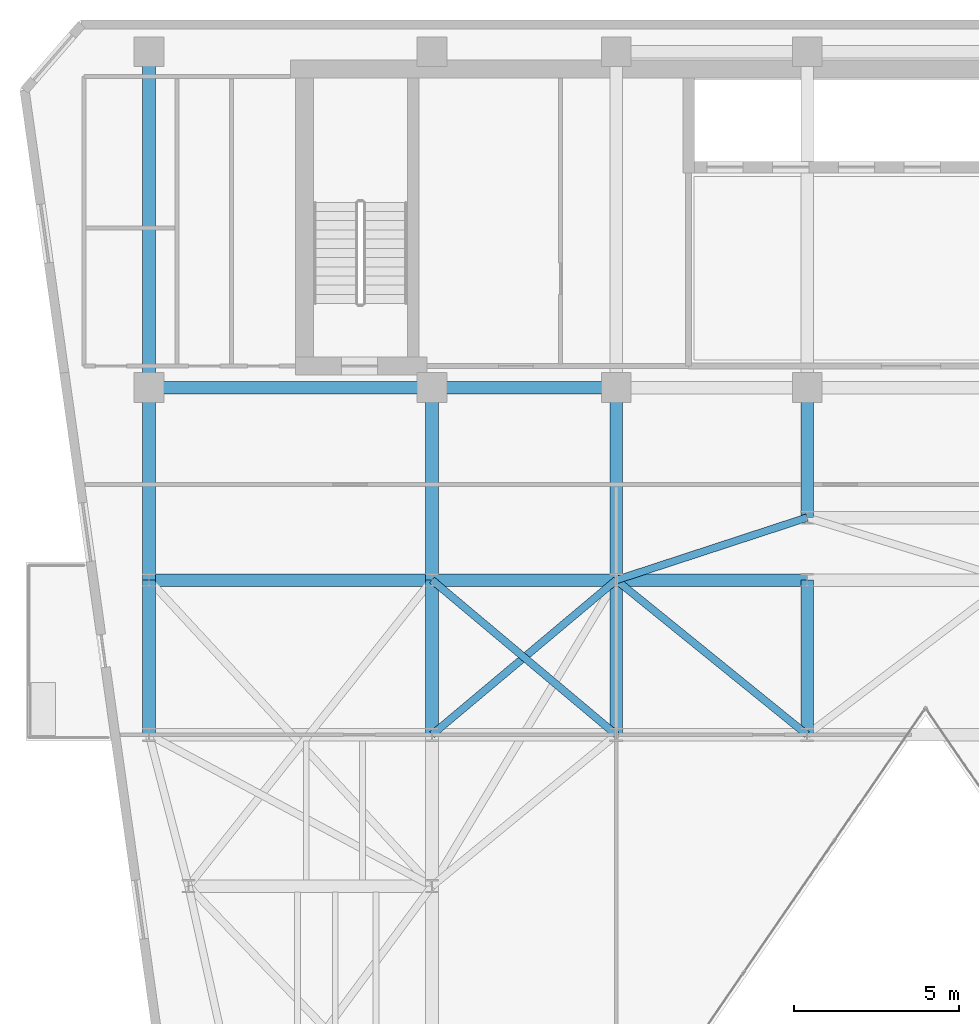
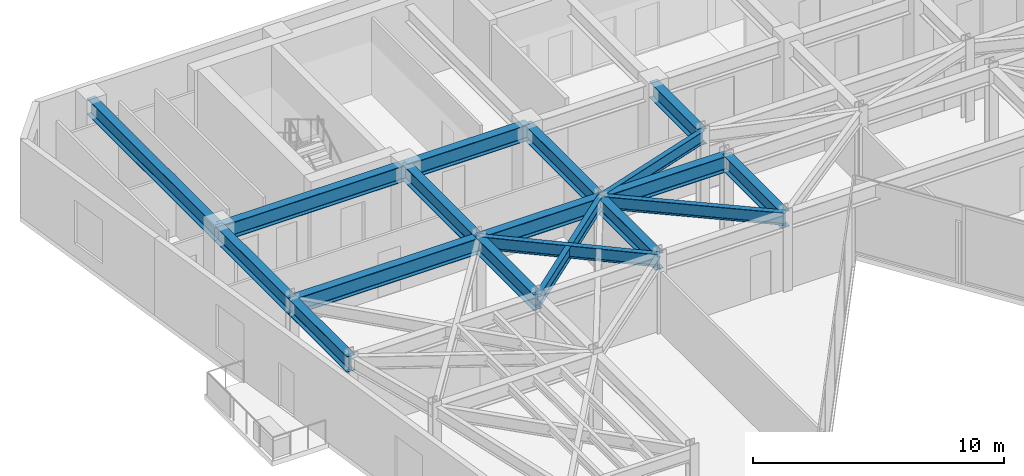
# One storey, part 7 of 21: 18 beams.
"""IFC4 building model written with IfcOpenShell, lengths in metres."""

import ifcopenshell
import ifcopenshell.guid

model = None  # the IFC model being written
_history = None  # IfcOwnerHistory: only IFC2X3 demands one
_inside = {}  # id of a spatial element -> (the spatial element, [elements in it])
_under = {}  # id of a project, library or spatial element -> (it, [spatial elements below it])
_declared = {}  # id of a project -> (the project, [libraries it declares])
_typed = {}  # id of a type object -> (the type object, [elements of that type])
_made_of = {}  # id of a material, layer set ... -> (it, [elements and type objects made of it])


def new_model(schema):
    """Start an empty IFC model of exactly this schema.

    Asked for "IFC4X3", IfcOpenShell would pick the latest addendum, in which some entities
    have other attributes; the version numbers below select the first issue.
    IFC2X3 requires an IfcOwnerHistory on every rooted entity: one is made here for all.
    """
    global model, _history
    if schema == "IFC4X3":
        model = ifcopenshell.file(schema_version=(4, 3, 0, 0))
    else:
        model = ifcopenshell.file(schema=schema)
    _inside.clear()
    _under.clear()
    _declared.clear()
    _typed.clear()
    _made_of.clear()
    _history = None
    if model.schema == "IFC2X3":
        org = make("IfcOrganization", Name="unknown")
        user = make(
            "IfcPersonAndOrganization",
            ThePerson=make("IfcPerson", FamilyName="unknown"),
            TheOrganization=org,
        )
        app = make(
            "IfcApplication",
            ApplicationDeveloper=org,
            Version="unknown",
            ApplicationFullName="unknown",
            ApplicationIdentifier="unknown",
        )
        _history = make(
            "IfcOwnerHistory",
            OwningUser=user,
            OwningApplication=app,
            ChangeAction="ADDED",
            CreationDate=0,
        )
    return model


def make(cls, **values):
    """One entity of the class cls with the attributes given. An attribute that is None is left unset."""
    return model.create_entity(
        cls, **{name: value for name, value in values.items() if value is not None}
    )


def rooted(cls, **values):
    """An entity with a GlobalId (a new one), such as an element, a storey or a relation."""
    return make(cls, GlobalId=ifcopenshell.guid.new(), OwnerHistory=_history, **values)


def si_unit(unit_type, name, prefix=None):
    """IfcSIUnit, for example si_unit("LENGTHUNIT", "METRE", prefix="MILLI")."""
    return make("IfcSIUnit", UnitType=unit_type, Prefix=prefix, Name=name)


def assignment(units):
    """IfcUnitAssignment: the units of a project."""
    return None if units is None else make("IfcUnitAssignment", Units=units)


def point(xyz):
    """IfcCartesianPoint."""
    return None if xyz is None else make("IfcCartesianPoint", Coordinates=xyz)


def direction(xyz):
    """IfcDirection."""
    return None if xyz is None else make("IfcDirection", DirectionRatios=xyz)


def frame(location, z_axis=None, x_axis=None):
    """IfcAxis2Placement3D, a coordinate frame: its origin and axes. An axis left out is left unset."""
    return make(
        "IfcAxis2Placement3D",
        Location=point(location),
        Axis=direction(z_axis),
        RefDirection=direction(x_axis),
    )


def frame_2d(location, x_axis=None):
    """IfcAxis2Placement2D, a coordinate frame in the plane: its origin and x axis."""
    return make(
        "IfcAxis2Placement2D", Location=point(location), RefDirection=direction(x_axis)
    )


def origin():
    """The frame at (0, 0, 0) with its axes left unset."""
    return frame((0.0, 0.0, 0.0))


def origin_2d():
    """The frame at (0, 0) in the plane with its x axis left unset."""
    return frame_2d((0.0, 0.0))


def place(relative_to, where):
    """IfcLocalPlacement: puts the frame where relative to a parent placement (None: the world)."""
    return make(
        "IfcLocalPlacement", PlacementRelTo=relative_to, RelativePlacement=where
    )


def context(
    kind, dimensions, precision=None, world=None, true_north=None, identifier=None
):
    """IfcGeometricRepresentationContext, for example the 3D "Model" context."""
    return make(
        "IfcGeometricRepresentationContext",
        ContextIdentifier=identifier,
        ContextType=kind,
        CoordinateSpaceDimension=dimensions,
        Precision=precision,
        WorldCoordinateSystem=world,
        TrueNorth=true_north,
    )


def subcontext(parent, identifier, kind, view, scale=None):
    """IfcGeometricRepresentationSubContext, for example "Body" below "Model"."""
    return make(
        "IfcGeometricRepresentationSubContext",
        ContextIdentifier=identifier,
        ContextType=kind,
        ParentContext=parent,
        TargetScale=scale,
        TargetView=view,
    )


def project(units=None, contexts=None):
    """IfcProject with its units and contexts."""
    return rooted(
        "IfcProject",
        Name="project",
        RepresentationContexts=contexts,
        UnitsInContext=assignment(units),
    )


def spatial(cls, under=None, at=None, **own):
    """A site, building, storey or space (cls), placed at a placement, below another one or the project."""
    s = rooted(cls, ObjectPlacement=at, **own)
    if under is not None:
        _under.setdefault(under.id(), (under, []))[1].append(s)
    return s


def profile(cls, at=None, kind="AREA", **sizes):
    """A parametric profile (cls). Its sizes go by their IFC names, for example OverallWidth=200.0."""
    return make(cls, ProfileType=kind, Position=at, **sizes)


def i_section(**sizes):
    """IfcIShapeProfileDef."""
    return profile("IfcIShapeProfileDef", **sizes)


def extrude(swept, where, along, depth):
    """IfcExtrudedAreaSolid: the profile swept, set in the frame where, extruded along a direction by depth."""
    return make(
        "IfcExtrudedAreaSolid",
        SweptArea=swept,
        Position=where,
        ExtrudedDirection=direction(along),
        Depth=depth,
    )


def shape(context_of_items, identifier, shape_type, items):
    """IfcShapeRepresentation: the items that make up one representation, for example the "Body"."""
    return make(
        "IfcShapeRepresentation",
        ContextOfItems=context_of_items,
        RepresentationIdentifier=identifier,
        RepresentationType=shape_type,
        Items=items,
    )


def material(Name=None, Category=None):
    """IfcMaterial."""
    return make("IfcMaterial", Name=Name, Category=Category)


def material_profile(
    of_material, cross_section, Name=None, Category=None, Priority=None
):
    """IfcMaterialProfile: a cross section and its material."""
    return make(
        "IfcMaterialProfile",
        Name=Name,
        Material=of_material,
        Profile=cross_section,
        Priority=Priority,
        Category=Category,
    )


def profile_set(profiles, Name=None, composite=None):
    """IfcMaterialProfileSet."""
    return make(
        "IfcMaterialProfileSet",
        Name=Name,
        MaterialProfiles=profiles,
        CompositeProfile=composite,
    )


def made_of(thing, what):
    """Note that an element or type object is made of a material, layer set ...; save() writes the relation."""
    if what is not None:
        _made_of.setdefault(what.id(), (what, []))[1].append(thing)
    return thing


def type_object(cls, material=None, **own):
    """A type object (cls), such as IfcWallType, which elements share."""
    return made_of(rooted(cls, **own), material)


def element(
    cls,
    number,
    at=None,
    inside=None,
    cuts=None,
    type_object=None,
    material=None,
    context=None,
    identifier="Body",
    shape_type=None,
    held_by="IfcProductDefinitionShape",
    body=None,
    shapes=None,
    **own,
):
    """One element of the class cls, such as IfcWall. Its Tag is "e" and its number.

    at: its placement. inside: the storey or other place that contains it. cuts: it is an
    opening in that element (IfcRelVoidsElement). A single representation is given by context,
    identifier, shape_type and body (its items); several are given by shapes. held_by: the class
    of the entity that holds the representations. save() writes the other relations.
    """
    e = rooted(cls, Tag="e%d" % number, ObjectPlacement=at, **own)
    if body is not None:
        shapes = [shape(context, identifier, shape_type, body)]
    if shapes is not None:
        e.Representation = make(held_by, Representations=shapes)
    if inside is not None:
        _inside.setdefault(inside.id(), (inside, []))[1].append(e)
    if cuts is not None:
        rooted(
            "IfcRelVoidsElement", RelatingBuildingElement=cuts, RelatedOpeningElement=e
        )
    if type_object is not None:
        _typed.setdefault(type_object.id(), (type_object, []))[1].append(e)
    return made_of(e, material)


def aggregate(whole, parts):
    """IfcRelAggregates: a whole, such as a stair, and the parts it consists of."""
    return rooted("IfcRelAggregates", RelatingObject=whole, RelatedObjects=parts)


def save(model, path):
    """Write the relations noted so far, then the file.

    IfcRelAggregates (storeys below a building ...), IfcRelContainedInSpatialStructure (elements
    in a storey), IfcRelDefinesByType, IfcRelAssociatesMaterial and IfcRelDeclares: one each for
    every whole, place, type object, material and project.
    """
    for whole, parts in _under.values():
        aggregate(whole, parts)
    for where, things in _inside.values():
        rooted(
            "IfcRelContainedInSpatialStructure",
            RelatedElements=things,
            RelatingStructure=where,
        )
    for kind, things in _typed.values():
        rooted("IfcRelDefinesByType", RelatedObjects=things, RelatingType=kind)
    for what, things in _made_of.values():
        rooted("IfcRelAssociatesMaterial", RelatedObjects=things, RelatingMaterial=what)
    for by, libraries in _declared.values():
        rooted("IfcRelDeclares", RelatingContext=by, RelatedDefinitions=libraries)
    model.write(path)


model = new_model("IFC4")

# Units and contexts
model_context = context("Model", 3, precision=1e-05, world=origin(), true_north=direction((0.0, 1.0)))
body_context = subcontext(model_context, "Body", "Model", "MODEL_VIEW")
ifc_project = project(units=[si_unit("LENGTHUNIT", "METRE"), si_unit("AREAUNIT", "SQUARE_METRE"), si_unit("VOLUMEUNIT", "CUBIC_METRE"), si_unit("PLANEANGLEUNIT", "RADIAN"), si_unit("MASSUNIT", "GRAM", prefix="KILO")], contexts=[model_context])

# Site, building, storey
site_placement = place(None, origin())
site = spatial("IfcSite", under=ifc_project, at=site_placement, CompositionType="ELEMENT")
building_placement = place(site_placement, origin())
building = spatial("IfcBuilding", under=site, at=building_placement, Name="Kravanh Interchange Tower", CompositionType="ELEMENT")
storey_placement = place(building_placement, frame((0.0, 0.0, 208.5)))
storey = spatial("IfcBuildingStorey", under=building, at=storey_placement, Name="L50", CompositionType="ELEMENT", Elevation=208.5)

# Beams
ifc_material_1 = material(Name="Structural Steel S355", Category="steel")
ifc_material_profile_1 = material_profile(ifc_material_1, i_section(OverallWidth=0.381103515625, OverallDepth=0.77294921875, WebThickness=0.0166015625, FlangeThickness=0.027099609375, FilletRadius=0.02490234375, at=origin_2d()), Name="W30X173")
ifc_profile_set_1 = profile_set([ifc_material_profile_1], Name="Structural Steel S355")
beam_type_1 = type_object("IfcBeamType", Name="Floor Beam W30X173 Structural Steel S355", PredefinedType="BEAM", material=ifc_profile_set_1)
beam_1_placement = place(storey_placement, frame((38.60009765625, 37.35009765625, 3.368408203125), z_axis=(0.0, -1.0, 0.0), x_axis=(1.0, 0.0, 0.0)))
element("IfcBeam", 1, at=beam_1_placement, inside=storey, type_object=beam_type_1, Name="L50 Primary Floor Girder 16", PredefinedType="BEAM", context=body_context, shape_type="SweptSolid", body=[
    extrude(i_section(OverallWidth=0.381103515625, OverallDepth=0.77294921875, WebThickness=0.0166015625, FlangeThickness=0.027099609375, FilletRadius=0.02490234375, at=origin_2d()), origin(), (0.0, 0.0, 1.0), 3.9501953125),
])
beam_2_placement = place(storey_placement, frame((32.800048828125, 37.35009765625, 3.368408203125), z_axis=(-1.0, 0.0, 0.0), x_axis=(0.0, -1.0, 0.0)))
element("IfcBeam", 2, at=beam_2_placement, inside=storey, type_object=beam_type_1, Name="L50 Primary Floor Girder 20", PredefinedType="BEAM", context=body_context, shape_type="SweptSolid", body=[
    extrude(i_section(OverallWidth=0.381103515625, OverallDepth=0.77294921875, WebThickness=0.0166015625, FlangeThickness=0.027099609375, FilletRadius=0.02490234375, at=origin_2d()), origin(), (0.0, 0.0, 1.0), 5.60009765625),
])
for number, where, z_axis, x_axis, name in (
    (3, (32.800048828125, 37.35009765625, 3.368408203125), (0.0, -1.0, 0.0), (1.0, 0.0, 0.0), "L50 Primary Floor Girder 21"),
    (4, (27.199951171875, 37.35009765625, 3.368408203125), (0.0, -1.0, 0.0), (1.0, 0.0, 0.0), "L50 Primary Floor Girder 24"),
):
    element("IfcBeam", number, at=place(storey_placement, frame(where, z_axis=z_axis, x_axis=x_axis)), inside=storey, type_object=beam_type_1, Name=name, PredefinedType="BEAM", context=body_context, shape_type="SweptSolid", body=[
        extrude(i_section(OverallWidth=0.381103515625, OverallDepth=0.77294921875, WebThickness=0.0166015625, FlangeThickness=0.027099609375, FilletRadius=0.02490234375, at=origin_2d()), origin(), (0.0, 0.0, 1.0), 5.85009765625),
    ])
beam_3_placement = place(storey_placement, frame((27.199951171875, 37.35009765625, 3.368408203125), z_axis=(-1.0, 0.0, 0.0), x_axis=(0.0, -1.0, 0.0)))
element("IfcBeam", 5, at=beam_3_placement, inside=storey, type_object=beam_type_1, Name="L50 Primary Floor Girder 25", PredefinedType="BEAM", context=body_context, shape_type="SweptSolid", body=[
    extrude(i_section(OverallWidth=0.381103515625, OverallDepth=0.77294921875, WebThickness=0.0166015625, FlangeThickness=0.027099609375, FilletRadius=0.02490234375, at=origin_2d()), origin(), (0.0, 0.0, 1.0), 8.599853515625),
])
beam_4_placement = place(storey_placement, frame((18.60009765625, 37.35009765625, 3.368408203125), z_axis=(0.0, -1.0, 0.0), x_axis=(1.0, 0.0, 0.0)))
element("IfcBeam", 6, at=beam_4_placement, inside=storey, type_object=beam_type_1, Name="L50 Primary Floor Girder 28", PredefinedType="BEAM", context=body_context, shape_type="SweptSolid", body=[
    extrude(i_section(OverallWidth=0.381103515625, OverallDepth=0.77294921875, WebThickness=0.0166015625, FlangeThickness=0.027099609375, FilletRadius=0.02490234375, at=origin_2d()), origin(), (0.0, 0.0, 1.0), 5.85009765625),
])
beam_5_placement = place(storey_placement, frame((18.60009765625, 37.35009765625, 3.368408203125), z_axis=(0.0, 1.0, 0.0), x_axis=(-1.0, 0.0, 0.0)))
element("IfcBeam", 7, at=beam_5_placement, inside=storey, type_object=beam_type_1, Name="L50 Primary Floor Girder 29", PredefinedType="BEAM", context=body_context, shape_type="SweptSolid", body=[
    extrude(i_section(OverallWidth=0.381103515625, OverallDepth=0.77294921875, WebThickness=0.0166015625, FlangeThickness=0.027099609375, FilletRadius=0.02490234375, at=origin_2d()), origin(), (0.0, 0.0, 1.0), 10.199951171875),
])
for number, where, z_axis, x_axis, name in (
    (8, (18.60009765625, 26.800048828125, 3.368408203125), (0.0, 1.0, 0.0), (-1.0, 0.0, 0.0), "L50 Primary Floor Girder 33"),
    (9, (27.199951171875, 26.800048828125, 3.368408203125), (0.0, 1.0, 0.0), (-1.0, 0.0, 0.0), "L50 Primary Floor Girder 38"),
    (10, (32.800048828125, 26.800048828125, 3.368408203125), (0.0, 1.0, 0.0), (-1.0, 0.0, 0.0), "L50 Primary Floor Girder 41"),
    (11, (38.60009765625, 26.800048828125, 3.368408203125), (0.0, 1.0, 0.0), (-1.0, 0.0, 0.0), "L50 Primary Floor Girder 45"),
):
    element("IfcBeam", number, at=place(storey_placement, frame(where, z_axis=z_axis, x_axis=x_axis)), inside=storey, type_object=beam_type_1, Name=name, PredefinedType="BEAM", context=body_context, shape_type="SweptSolid", body=[
        extrude(i_section(OverallWidth=0.381103515625, OverallDepth=0.77294921875, WebThickness=0.0166015625, FlangeThickness=0.027099609375, FilletRadius=0.02490234375, at=origin_2d()), origin(), (0.0, 0.0, 1.0), 4.699951171875),
    ])
beam_6_placement = place(storey_placement, frame((18.60009765625, 31.5, 3.368408203125), z_axis=(1.0, 0.0, 0.0), x_axis=(0.0, 1.0, 0.0)))
element("IfcBeam", 12, at=beam_6_placement, inside=storey, type_object=beam_type_1, Name="L50 Primary Floor Girder 61", PredefinedType="BEAM", context=body_context, shape_type="SweptSolid", body=[
    extrude(i_section(OverallWidth=0.381103515625, OverallDepth=0.77294921875, WebThickness=0.0166015625, FlangeThickness=0.027099609375, FilletRadius=0.02490234375, at=origin_2d()), origin(), (0.0, 0.0, 1.0), 8.599853515625),
])
beam_7_placement = place(storey_placement, frame((27.199951171875, 31.5, 3.368408203125), z_axis=(1.0, 0.0, 0.0), x_axis=(0.0, 1.0, 0.0)))
element("IfcBeam", 13, at=beam_7_placement, inside=storey, type_object=beam_type_1, Name="L50 Primary Floor Girder 64", PredefinedType="BEAM", context=body_context, shape_type="SweptSolid", body=[
    extrude(i_section(OverallWidth=0.381103515625, OverallDepth=0.77294921875, WebThickness=0.0166015625, FlangeThickness=0.027099609375, FilletRadius=0.02490234375, at=origin_2d()), origin(), (0.0, 0.0, 1.0), 5.60009765625),
])
beam_8_placement = place(storey_placement, frame((32.800048828125, 31.5, 3.368408203125), z_axis=(1.0, 0.0, 0.0), x_axis=(0.0, 1.0, 0.0)))
element("IfcBeam", 14, at=beam_8_placement, inside=storey, type_object=beam_type_1, Name="L50 Primary Floor Girder 67", PredefinedType="BEAM", context=body_context, shape_type="SweptSolid", body=[
    extrude(i_section(OverallWidth=0.381103515625, OverallDepth=0.77294921875, WebThickness=0.0166015625, FlangeThickness=0.027099609375, FilletRadius=0.02490234375, at=origin_2d()), origin(), (0.0, 0.0, 1.0), 5.800048828125),
])
ifc_material_2 = material(Name="Structural Steel S355", Category="steel")
ifc_material_profile_2 = material_profile(ifc_material_2, i_section(OverallWidth=0.22802734375, OverallDepth=0.60791015625, WebThickness=0.01123046875, FlangeThickness=0.017333984375, FilletRadius=0.02197265625, at=origin_2d()), Name="W24X76")
ifc_profile_set_2 = profile_set([ifc_material_profile_2], Name="Structural Steel S355")
beam_type_2 = type_object("IfcBeamType", Name="Floor Spandrel W24X76 Structural Steel S355", PredefinedType="SPANDREL", material=ifc_profile_set_2)
for number, where, z_axis, x_axis, name in (
    (15, (27.199951171875, 26.800048828125, 3.450927734375), (0.765983062929, 0.642860752657, 0.0), (-0.642860752657, 0.765983062929, 0.0), "L50 Perimeter Spandrel 40"),
    (16, (32.800048828125, 26.800048828125, 3.450927734375), (-0.765983062929, 0.642860752657, 0.0), (-0.642860752657, -0.765983062929, 0.0), "L50 Perimeter Spandrel 44"),
):
    element("IfcBeam", number, at=place(storey_placement, frame(where, z_axis=z_axis, x_axis=x_axis)), inside=storey, type_object=beam_type_2, Name=name, PredefinedType="SPANDREL", context=body_context, shape_type="SweptSolid", body=[
        extrude(i_section(OverallWidth=0.22802734375, OverallDepth=0.60791015625, WebThickness=0.01123046875, FlangeThickness=0.017333984375, FilletRadius=0.02197265625, at=origin_2d()), origin(), (0.0, 0.0, 1.0), 7.31103515625),
    ])
beam_9_placement = place(storey_placement, frame((38.60009765625, 26.800048828125, 3.450927734375), z_axis=(-0.776938619557, 0.629576350764, 0.0), x_axis=(-0.629576350764, -0.776938619557, 0.0)))
element("IfcBeam", 17, at=beam_9_placement, inside=storey, type_object=beam_type_2, Name="L50 Perimeter Spandrel 46", PredefinedType="SPANDREL", context=body_context, shape_type="SweptSolid", body=[
    extrude(i_section(OverallWidth=0.22802734375, OverallDepth=0.60791015625, WebThickness=0.01123046875, FlangeThickness=0.017333984375, FilletRadius=0.02197265625, at=origin_2d()), origin(), (0.0, 0.0, 1.0), 7.46533203125),
])
beam_10_placement = place(storey_placement, frame((32.800048828125, 31.5, 3.450927734375), z_axis=(0.950314536578, 0.31129131303, 0.0), x_axis=(-0.31129131303, 0.950314536578, 0.0)))
element("IfcBeam", 18, at=beam_10_placement, inside=storey, type_object=beam_type_2, Name="L50 Perimeter Spandrel 68", PredefinedType="SPANDREL", context=body_context, shape_type="SweptSolid", body=[
    extrude(i_section(OverallWidth=0.22802734375, OverallDepth=0.60791015625, WebThickness=0.01123046875, FlangeThickness=0.017333984375, FilletRadius=0.02197265625, at=origin_2d()), origin(), (0.0, 0.0, 1.0), 6.103271484375),
])

save(model, "model.ifc")
